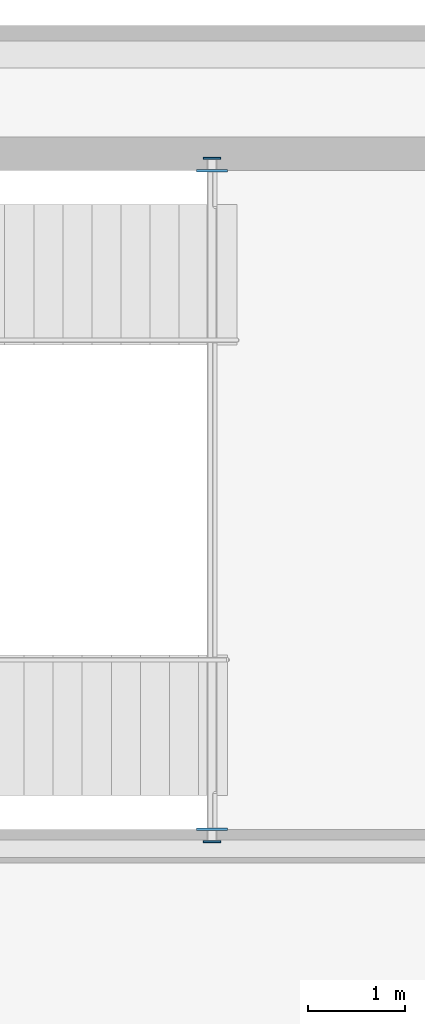
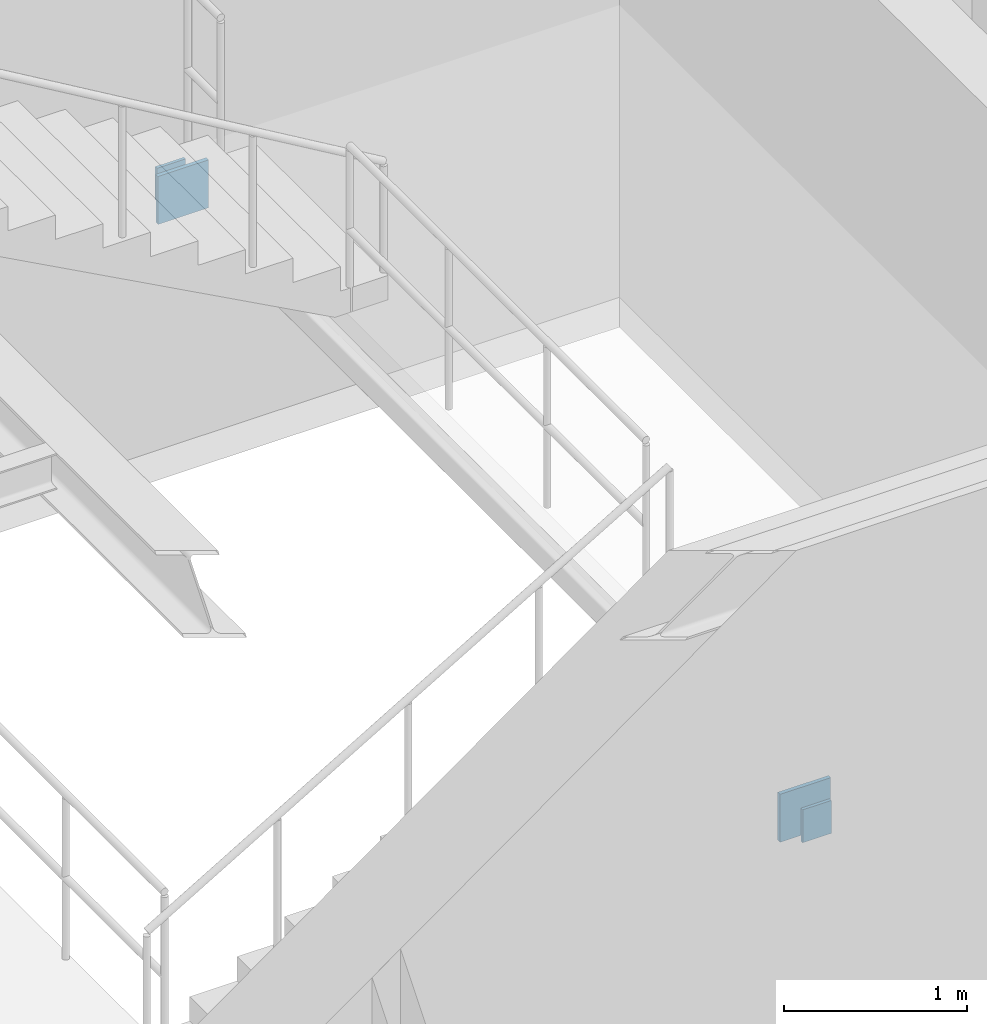
# One storey, part 25 of 41: 4 plates.
"""IFC4 building model written with IfcOpenShell, lengths in metres."""

import ifcopenshell
import ifcopenshell.guid

model = None  # the IFC model being written
_history = None  # IfcOwnerHistory: only IFC2X3 demands one
_inside = {}  # id of a spatial element -> (the spatial element, [elements in it])
_under = {}  # id of a project, library or spatial element -> (it, [spatial elements below it])
_declared = {}  # id of a project -> (the project, [libraries it declares])
_typed = {}  # id of a type object -> (the type object, [elements of that type])
_made_of = {}  # id of a material, layer set ... -> (it, [elements and type objects made of it])


def new_model(schema):
    """Start an empty IFC model of exactly this schema.

    Asked for "IFC4X3", IfcOpenShell would pick the latest addendum, in which some entities
    have other attributes; the version numbers below select the first issue.
    IFC2X3 requires an IfcOwnerHistory on every rooted entity: one is made here for all.
    """
    global model, _history
    if schema == "IFC4X3":
        model = ifcopenshell.file(schema_version=(4, 3, 0, 0))
    else:
        model = ifcopenshell.file(schema=schema)
    _inside.clear()
    _under.clear()
    _declared.clear()
    _typed.clear()
    _made_of.clear()
    _history = None
    if model.schema == "IFC2X3":
        org = make("IfcOrganization", Name="unknown")
        user = make(
            "IfcPersonAndOrganization",
            ThePerson=make("IfcPerson", FamilyName="unknown"),
            TheOrganization=org,
        )
        app = make(
            "IfcApplication",
            ApplicationDeveloper=org,
            Version="unknown",
            ApplicationFullName="unknown",
            ApplicationIdentifier="unknown",
        )
        _history = make(
            "IfcOwnerHistory",
            OwningUser=user,
            OwningApplication=app,
            ChangeAction="ADDED",
            CreationDate=0,
        )
    return model


def make(cls, **values):
    """One entity of the class cls with the attributes given. An attribute that is None is left unset."""
    return model.create_entity(
        cls, **{name: value for name, value in values.items() if value is not None}
    )


def rooted(cls, **values):
    """An entity with a GlobalId (a new one), such as an element, a storey or a relation."""
    return make(cls, GlobalId=ifcopenshell.guid.new(), OwnerHistory=_history, **values)


def si_unit(unit_type, name, prefix=None):
    """IfcSIUnit, for example si_unit("LENGTHUNIT", "METRE", prefix="MILLI")."""
    return make("IfcSIUnit", UnitType=unit_type, Prefix=prefix, Name=name)


def assignment(units):
    """IfcUnitAssignment: the units of a project."""
    return None if units is None else make("IfcUnitAssignment", Units=units)


def point(xyz):
    """IfcCartesianPoint."""
    return None if xyz is None else make("IfcCartesianPoint", Coordinates=xyz)


def direction(xyz):
    """IfcDirection."""
    return None if xyz is None else make("IfcDirection", DirectionRatios=xyz)


def frame(location, z_axis=None, x_axis=None):
    """IfcAxis2Placement3D, a coordinate frame: its origin and axes. An axis left out is left unset."""
    return make(
        "IfcAxis2Placement3D",
        Location=point(location),
        Axis=direction(z_axis),
        RefDirection=direction(x_axis),
    )


def frame_2d(location, x_axis=None):
    """IfcAxis2Placement2D, a coordinate frame in the plane: its origin and x axis."""
    return make(
        "IfcAxis2Placement2D", Location=point(location), RefDirection=direction(x_axis)
    )


def origin():
    """The frame at (0, 0, 0) with its axes left unset."""
    return frame((0.0, 0.0, 0.0))


def origin_2d():
    """The frame at (0, 0) in the plane with its x axis left unset."""
    return frame_2d((0.0, 0.0))


def place(relative_to, where):
    """IfcLocalPlacement: puts the frame where relative to a parent placement (None: the world)."""
    return make(
        "IfcLocalPlacement", PlacementRelTo=relative_to, RelativePlacement=where
    )


def context(
    kind, dimensions, precision=None, world=None, true_north=None, identifier=None
):
    """IfcGeometricRepresentationContext, for example the 3D "Model" context."""
    return make(
        "IfcGeometricRepresentationContext",
        ContextIdentifier=identifier,
        ContextType=kind,
        CoordinateSpaceDimension=dimensions,
        Precision=precision,
        WorldCoordinateSystem=world,
        TrueNorth=true_north,
    )


def subcontext(parent, identifier, kind, view, scale=None):
    """IfcGeometricRepresentationSubContext, for example "Body" below "Model"."""
    return make(
        "IfcGeometricRepresentationSubContext",
        ContextIdentifier=identifier,
        ContextType=kind,
        ParentContext=parent,
        TargetScale=scale,
        TargetView=view,
    )


def project(units=None, contexts=None):
    """IfcProject with its units and contexts."""
    return rooted(
        "IfcProject",
        Name="project",
        RepresentationContexts=contexts,
        UnitsInContext=assignment(units),
    )


def spatial(cls, under=None, at=None, **own):
    """A site, building, storey or space (cls), placed at a placement, below another one or the project."""
    s = rooted(cls, ObjectPlacement=at, **own)
    if under is not None:
        _under.setdefault(under.id(), (under, []))[1].append(s)
    return s


def profile(cls, at=None, kind="AREA", **sizes):
    """A parametric profile (cls). Its sizes go by their IFC names, for example OverallWidth=200.0."""
    return make(cls, ProfileType=kind, Position=at, **sizes)


def rectangle(**sizes):
    """IfcRectangleProfileDef."""
    return profile("IfcRectangleProfileDef", **sizes)


def extrude(swept, where, along, depth):
    """IfcExtrudedAreaSolid: the profile swept, set in the frame where, extruded along a direction by depth."""
    return make(
        "IfcExtrudedAreaSolid",
        SweptArea=swept,
        Position=where,
        ExtrudedDirection=direction(along),
        Depth=depth,
    )


def shape(context_of_items, identifier, shape_type, items):
    """IfcShapeRepresentation: the items that make up one representation, for example the "Body"."""
    return make(
        "IfcShapeRepresentation",
        ContextOfItems=context_of_items,
        RepresentationIdentifier=identifier,
        RepresentationType=shape_type,
        Items=items,
    )


def material(Name=None, Category=None):
    """IfcMaterial."""
    return make("IfcMaterial", Name=Name, Category=Category)


def layer(
    of_material, thickness, ventilated=None, Name=None, Category=None, Priority=None
):
    """IfcMaterialLayer: one layer of a wall or slab, of a material (None: an air gap)."""
    return make(
        "IfcMaterialLayer",
        Material=of_material,
        LayerThickness=thickness,
        IsVentilated=ventilated,
        Name=Name,
        Category=Category,
        Priority=Priority,
    )


def layer_set(layers, Name=None):
    """IfcMaterialLayerSet."""
    return make("IfcMaterialLayerSet", MaterialLayers=layers, LayerSetName=Name)


def made_of(thing, what):
    """Note that an element or type object is made of a material, layer set ...; save() writes the relation."""
    if what is not None:
        _made_of.setdefault(what.id(), (what, []))[1].append(thing)
    return thing


def type_object(cls, material=None, **own):
    """A type object (cls), such as IfcWallType, which elements share."""
    return made_of(rooted(cls, **own), material)


def element(
    cls,
    number,
    at=None,
    inside=None,
    cuts=None,
    type_object=None,
    material=None,
    context=None,
    identifier="Body",
    shape_type=None,
    held_by="IfcProductDefinitionShape",
    body=None,
    shapes=None,
    **own,
):
    """One element of the class cls, such as IfcWall. Its Tag is "e" and its number.

    at: its placement. inside: the storey or other place that contains it. cuts: it is an
    opening in that element (IfcRelVoidsElement). A single representation is given by context,
    identifier, shape_type and body (its items); several are given by shapes. held_by: the class
    of the entity that holds the representations. save() writes the other relations.
    """
    e = rooted(cls, Tag="e%d" % number, ObjectPlacement=at, **own)
    if body is not None:
        shapes = [shape(context, identifier, shape_type, body)]
    if shapes is not None:
        e.Representation = make(held_by, Representations=shapes)
    if inside is not None:
        _inside.setdefault(inside.id(), (inside, []))[1].append(e)
    if cuts is not None:
        rooted(
            "IfcRelVoidsElement", RelatingBuildingElement=cuts, RelatedOpeningElement=e
        )
    if type_object is not None:
        _typed.setdefault(type_object.id(), (type_object, []))[1].append(e)
    return made_of(e, material)


def aggregate(whole, parts):
    """IfcRelAggregates: a whole, such as a stair, and the parts it consists of."""
    return rooted("IfcRelAggregates", RelatingObject=whole, RelatedObjects=parts)


def save(model, path):
    """Write the relations noted so far, then the file.

    IfcRelAggregates (storeys below a building ...), IfcRelContainedInSpatialStructure (elements
    in a storey), IfcRelDefinesByType, IfcRelAssociatesMaterial and IfcRelDeclares: one each for
    every whole, place, type object, material and project.
    """
    for whole, parts in _under.values():
        aggregate(whole, parts)
    for where, things in _inside.values():
        rooted(
            "IfcRelContainedInSpatialStructure",
            RelatedElements=things,
            RelatingStructure=where,
        )
    for kind, things in _typed.values():
        rooted("IfcRelDefinesByType", RelatedObjects=things, RelatingType=kind)
    for what, things in _made_of.values():
        rooted("IfcRelAssociatesMaterial", RelatedObjects=things, RelatingMaterial=what)
    for by, libraries in _declared.values():
        rooted("IfcRelDeclares", RelatingContext=by, RelatedDefinitions=libraries)
    model.write(path)


model = new_model("IFC4")

# Units and contexts
model_context = context("Model", 3, precision=1e-05, world=origin(), true_north=direction((0.0, 1.0)))
body_context = subcontext(model_context, "Body", "Model", "MODEL_VIEW")
ifc_project = project(units=[si_unit("LENGTHUNIT", "METRE"), si_unit("AREAUNIT", "SQUARE_METRE"), si_unit("VOLUMEUNIT", "CUBIC_METRE"), si_unit("PLANEANGLEUNIT", "RADIAN"), si_unit("MASSUNIT", "GRAM", prefix="KILO"), si_unit("THERMODYNAMICTEMPERATUREUNIT", "KELVIN"), si_unit("POWERUNIT", "WATT")], contexts=[model_context])

# Site, building, storey
site_placement = place(None, origin())
site = spatial("IfcSite", under=ifc_project, at=site_placement, CompositionType="ELEMENT")
building_placement = place(site_placement, origin())
building = spatial("IfcBuilding", under=site, at=building_placement, Name="Solvatero Civic Police Headquarters", CompositionType="ELEMENT")
storey_placement = place(building_placement, frame((0.0, 0.0, 17.699951171875)))
storey = spatial("IfcBuildingStorey", under=building, at=storey_placement, Name="L04", CompositionType="ELEMENT", Elevation=17.699951171875)

# Plates
ifc_material = material(Name="Steel S355", Category="steel")
ifc_layer_1 = layer(ifc_material, 0.02001953125)
ifc_layer_set_1 = layer_set([ifc_layer_1], Name="Steel S355")
plate_type_1 = type_object("IfcPlateType", Name="PLT-CAP-20", PredefinedType="SHEET", material=ifc_layer_set_1)
for number, where, z_axis, x_axis, name in (
    (1, (23.639892578125, 75.070068359375, 1.56494140625), (0.0, 0.0, 1.0), (1.0, 0.0, 0.0), "Hollow Section Cap Plate 0063"),
    (2, (23.639892578125, 82.1298828125, 1.56494140625), (0.0, 0.0, 1.0), (1.0, 0.0, 0.0), "Hollow Section Cap Plate 0064"),
):
    element("IfcPlate", number, at=place(storey_placement, frame(where, z_axis=z_axis, x_axis=x_axis)), inside=storey, type_object=plate_type_1, Name=name, PredefinedType="SHEET", context=body_context, shape_type="SweptSolid", body=[
        extrude(rectangle(XDim=0.179931640625, YDim=0.02001953125, at=origin_2d()), origin(), (0.0, 0.0, 1.0), 0.219970703125),
    ])
ifc_layer_2 = layer(ifc_material, 0.02490234375)
ifc_layer_set_2 = layer_set([ifc_layer_2], Name="Steel S355")
plate_type_2 = type_object("IfcPlateType", Name="PLT-EMB-25", PredefinedType="SHEET", material=ifc_layer_set_2)
for number, where, z_axis, x_axis, name in (
    (3, (23.639892578125, 75.199951171875, 1.51513671875), (0.0, 0.0, 1.0), (1.0, 0.0, 0.0), "Cast-In Shear Wall Embed Plate 0063"),
    (4, (23.639892578125, 82.0, 1.51513671875), (0.0, 0.0, 1.0), (1.0, 0.0, 0.0), "Cast-In Shear Wall Embed Plate 0064"),
):
    element("IfcPlate", number, at=place(storey_placement, frame(where, z_axis=z_axis, x_axis=x_axis)), inside=storey, type_object=plate_type_2, Name=name, PredefinedType="SHEET", context=body_context, shape_type="SweptSolid", body=[
        extrude(rectangle(XDim=0.320068359375, YDim=0.02490234375, at=origin_2d()), origin(), (0.0, 0.0, 1.0), 0.320068359375),
    ])

save(model, "model.ifc")
